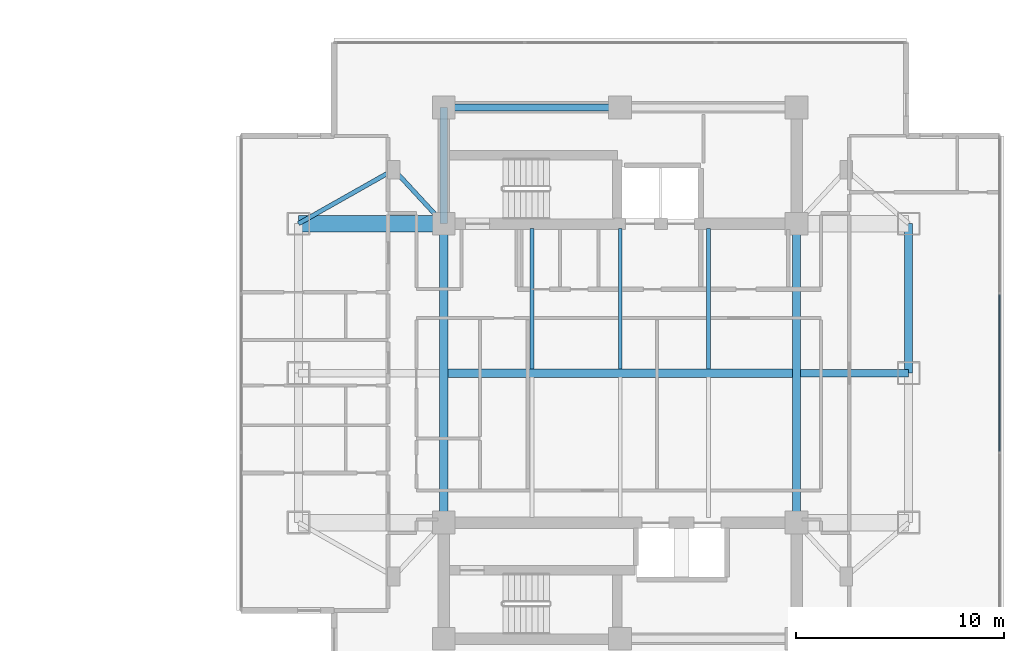
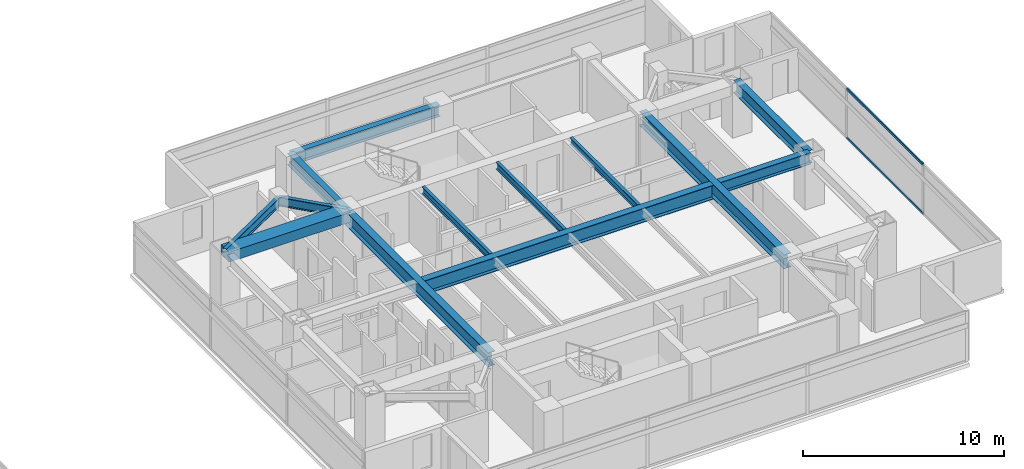
# One storey, part 9 of 24: 13 beams, 2 members, 1 element without a shape of its own.
"""IFC4 building model written with IfcOpenShell, lengths in metres."""

from ifc_helpers import new_model, si_unit, direction, frame, origin, origin_2d, place, context, subcontext, project, spatial, rectangle, i_section, extrude, material, material_profile, profile_set, type_object, element, aggregate, save


model = new_model("IFC4")

# Units and contexts
model_context = context("Model", 3, precision=1e-05, world=origin(), true_north=direction((0.0, 1.0)))
body_context = subcontext(model_context, "Body", "Model", "MODEL_VIEW")
ifc_project = project(units=[si_unit("LENGTHUNIT", "METRE"), si_unit("AREAUNIT", "SQUARE_METRE"), si_unit("VOLUMEUNIT", "CUBIC_METRE"), si_unit("PLANEANGLEUNIT", "RADIAN"), si_unit("MASSUNIT", "GRAM", prefix="KILO")], contexts=[model_context])

# Site, building, storey
site_placement = place(None, origin())
site = spatial("IfcSite", under=ifc_project, at=site_placement, CompositionType="ELEMENT")
building_placement = place(site_placement, origin())
building = spatial("IfcBuilding", under=site, at=building_placement, Name="Mirazonda Arch Towers", CompositionType="ELEMENT")
storey_placement = place(building_placement, frame((0.0, 0.0, 137.89990234375)))
storey = spatial("IfcBuildingStorey", under=building, at=storey_placement, Name="L39", CompositionType="ELEMENT", Elevation=137.89990234375)

# Beams
ifc_material_1 = material(Name="Steel ASTM A992 Grade 50", Category="steel")
ifc_material_profile_1 = material_profile(ifc_material_1, i_section(OverallWidth=0.381103515625, OverallDepth=0.77294921875, WebThickness=0.0166015625, FlangeThickness=0.027099609375, at=origin_2d()), Name="W30X173")
ifc_profile_set_1 = profile_set([ifc_material_profile_1], Name="Steel ASTM A992 Grade 50")
beam_type_1 = type_object("IfcBeamType", Name="BM-EXT-W30X173", PredefinedType="USERDEFINED", material=ifc_profile_set_1)
beam_1_placement = place(storey_placement, frame((90.39990234375, 28.0, 2.693603515625), z_axis=(0.0, 1.0, 0.0), x_axis=(-1.0, 0.0, 0.0)))
element("IfcBeam", 1, at=beam_1_placement, inside=storey, type_object=beam_type_1, Name="L39 Floor Beam BM-T2-L39-NS-E-28", ObjectType="GIRDER", PredefinedType="USERDEFINED", context=body_context, shape_type="SweptSolid", body=[
    extrude(i_section(OverallWidth=0.381103515625, OverallDepth=0.77294921875, WebThickness=0.0166015625, FlangeThickness=0.027099609375, at=origin_2d()), origin(), (0.0, 0.0, 1.0), 7.199951171875),
])
ifc_material_profile_2 = material_profile(ifc_material_1, i_section(OverallWidth=0.180908203125, OverallDepth=0.4169921875, WebThickness=0.010986328125, FlangeThickness=0.018310546875, at=origin_2d()), Name="W16X57")
ifc_profile_set_2 = profile_set([ifc_material_profile_2], Name="Steel ASTM A992 Grade 50")
beam_type_2 = type_object("IfcBeamType", Name="BM-INT-W16X57", PredefinedType="JOIST", material=ifc_profile_set_2)
for number, where, z_axis, x_axis, name in (
    (2, (72.25, 28.196044921875, 2.87158203125), (0.0, 1.0, 0.0), (-1.0, 0.0, 0.0), "L39 Floor Beam BM-T2-L39-J-722-28"),
    (3, (76.5, 28.196044921875, 2.87158203125), (0.0, 1.0, 0.0), (-1.0, 0.0, 0.0), "L39 Floor Beam BM-T2-L39-J-765-28"),
    (4, (80.75, 28.196044921875, 2.87158203125), (0.0, 1.0, 0.0), (-1.0, 0.0, 0.0), "L39 Floor Beam BM-T2-L39-J-807-28"),
):
    element("IfcBeam", number, at=place(storey_placement, frame(where, z_axis=z_axis, x_axis=x_axis)), inside=storey, type_object=beam_type_2, Name=name, PredefinedType="JOIST", context=body_context, shape_type="SweptSolid", body=[
        extrude(i_section(OverallWidth=0.180908203125, OverallDepth=0.4169921875, WebThickness=0.010986328125, FlangeThickness=0.018310546875, at=origin_2d()), origin(), (0.0, 0.0, 1.0), 6.763916015625),
    ])
ifc_material_profile_3 = material_profile(ifc_material_1, i_section(OverallWidth=0.214111328125, OverallDepth=0.549072265625, WebThickness=0.0146484375, FlangeThickness=0.023681640625, at=origin_2d()), Name="W21X93")
ifc_profile_set_3 = profile_set([ifc_material_profile_3], Name="Steel ASTM A992 Grade 50")
beam_type_3 = type_object("IfcBeamType", Name="BM-INT-W21X93", PredefinedType="BEAM", material=ifc_profile_set_3)
beam_2_placement = place(storey_placement, frame((65.60009765625, 37.800048828125, 2.8056640625), z_axis=(0.678251444854, -0.734829897019, 0.0), x_axis=(0.734829897019, 0.678251444854, 0.0)))
element("IfcBeam", 5, at=beam_2_placement, inside=storey, type_object=beam_type_3, Name="L39 Floor Beam BM-T2-L39-PL-NW1", PredefinedType="BEAM", context=body_context, shape_type="SweptSolid", body=[
    extrude(i_section(OverallWidth=0.214111328125, OverallDepth=0.549072265625, WebThickness=0.0146484375, FlangeThickness=0.023681640625, at=origin_2d()), origin(), (0.0, 0.0, 1.0), 3.538330078125),
])
beam_3_placement = place(storey_placement, frame((65.60009765625, 37.800048828125, 2.8056640625), z_axis=(-0.870559396632, -0.492063346467, 0.0), x_axis=(0.492063346467, -0.870559396632, 0.0)))
element("IfcBeam", 6, at=beam_3_placement, inside=storey, type_object=beam_type_3, Name="L39 Floor Beam BM-T2-L39-PL-NW2", PredefinedType="BEAM", context=body_context, shape_type="SweptSolid", body=[
    extrude(i_section(OverallWidth=0.214111328125, OverallDepth=0.549072265625, WebThickness=0.0146484375, FlangeThickness=0.023681640625, at=origin_2d()), origin(), (0.0, 0.0, 1.0), 5.2841796875),
])
ifc_material_profile_4 = material_profile(ifc_material_1, i_section(OverallWidth=0.35498046875, OverallDepth=0.696044921875, WebThickness=0.015380859375, FlangeThickness=0.02490234375, at=origin_2d()), Name="W27X146")
ifc_profile_set_4 = profile_set([ifc_material_profile_4], Name="Steel ASTM A992 Grade 50")
beam_type_4 = type_object("IfcBeamType", Name="BM-INT-W27X146", PredefinedType="BEAM", material=ifc_profile_set_4)
beam_4_placement = place(storey_placement, frame((68.0, 40.800048828125, 2.732177734375), z_axis=(1.0, 0.0, 0.0), x_axis=(0.0, 1.0, 0.0)))
element("IfcBeam", 7, at=beam_4_placement, inside=storey, type_object=beam_type_4, Name="L39 Floor Beam BM-T2-L39-CN1", PredefinedType="BEAM", context=body_context, shape_type="SweptSolid", body=[
    extrude(i_section(OverallWidth=0.35498046875, OverallDepth=0.696044921875, WebThickness=0.015380859375, FlangeThickness=0.02490234375, at=origin_2d()), origin(), (0.0, 0.0, 1.0), 8.5),
])
beam_5_placement = place(storey_placement, frame((68.0, 35.199951171875, 2.732177734375), z_axis=(0.0, 1.0, 0.0), x_axis=(-1.0, 0.0, 0.0)))
element("IfcBeam", 8, at=beam_5_placement, inside=storey, type_object=beam_type_4, Name="L39 Floor Beam BM-T2-L39-CNW", PredefinedType="BEAM", context=body_context, shape_type="SweptSolid", body=[
    extrude(i_section(OverallWidth=0.35498046875, OverallDepth=0.696044921875, WebThickness=0.015380859375, FlangeThickness=0.02490234375, at=origin_2d()), origin(), (0.0, 0.0, 1.0), 5.60009765625),
])
beam_6_placement = place(storey_placement, frame((85.199951171875, 28.0, 2.732177734375), z_axis=(1.0, 0.0, 0.0), x_axis=(0.0, 1.0, 0.0)))
element("IfcBeam", 9, at=beam_6_placement, inside=storey, type_object=beam_type_4, Name="L39 Floor Beam BM-T2-L39-GE2", PredefinedType="BEAM", context=body_context, shape_type="SweptSolid", body=[
    extrude(i_section(OverallWidth=0.35498046875, OverallDepth=0.696044921875, WebThickness=0.015380859375, FlangeThickness=0.02490234375, at=origin_2d()), origin(), (0.0, 0.0, 1.0), 5.199951171875),
])
ifc_material_profile_5 = material_profile(ifc_material_1, i_section(OverallWidth=0.39990234375, OverallDepth=0.85595703125, WebThickness=0.018310546875, FlangeThickness=0.029296875, at=origin_2d()), Name="W33X201")
ifc_profile_set_5 = profile_set([ifc_material_profile_5], Name="Steel ASTM A992 Grade 50")
beam_type_5 = type_object("IfcBeamType", Name="BM-INT-W33X201", PredefinedType="USERDEFINED", material=ifc_profile_set_5)
beam_7_placement = place(storey_placement, frame((68.199951171875, 28.0, 2.652099609375), z_axis=(1.0, 0.0, 0.0), x_axis=(0.0, 1.0, 0.0)))
element("IfcBeam", 10, at=beam_7_placement, inside=storey, type_object=beam_type_5, Name="L39 Floor Beam BM-T2-L39-GC2", ObjectType="GIRDER", PredefinedType="USERDEFINED", context=body_context, shape_type="SweptSolid", body=[
    extrude(i_section(OverallWidth=0.39990234375, OverallDepth=0.85595703125, WebThickness=0.018310546875, FlangeThickness=0.029296875, at=origin_2d()), origin(), (0.0, 0.0, 1.0), 16.60009765625),
])
for number, where, z_axis, x_axis, name in (
    (11, (68.0, 20.800048828125, 2.652099609375), (0.0, 1.0, 0.0), (-1.0, 0.0, 0.0), "L39 Floor Beam BM-T2-L39-NS-CW-FULL"),
    (12, (85.0, 20.800048828125, 2.652099609375), (0.0, 1.0, 0.0), (-1.0, 0.0, 0.0), "L39 Floor Beam BM-T2-L39-NS-CE-FULL"),
):
    element("IfcBeam", number, at=place(storey_placement, frame(where, z_axis=z_axis, x_axis=x_axis)), inside=storey, type_object=beam_type_5, Name=name, ObjectType="GIRDER", PredefinedType="USERDEFINED", context=body_context, shape_type="SweptSolid", body=[
        extrude(i_section(OverallWidth=0.39990234375, OverallDepth=0.85595703125, WebThickness=0.018310546875, FlangeThickness=0.029296875, at=origin_2d()), origin(), (0.0, 0.0, 1.0), 14.39990234375),
    ])
ifc_material_2 = material(Name="Concrete C60/75", Category="concrete")
ifc_material_profile_6 = material_profile(ifc_material_2, rectangle(XDim=0.800048828125, YDim=0.60009765625, at=origin_2d()), Name="RCCB800x600")
ifc_profile_set_6 = profile_set([ifc_material_profile_6], Name="Concrete C60/75")
beam_type_6 = type_object("IfcBeamType", Name="CB-INT-RCCB800x600", PredefinedType="SPANDREL", material=ifc_profile_set_6)
beam_8_placement = place(storey_placement, frame((61.0, 35.199951171875, 2.780029296875), z_axis=(1.0, 0.0, 0.0), x_axis=(0.0, 1.0, 0.0)))
element("IfcBeam", 13, at=beam_8_placement, inside=storey, type_object=beam_type_6, Name="L39 Floor Beam CBC-T2-L39-NW", PredefinedType="SPANDREL", context=body_context, shape_type="SweptSolid", body=[
    extrude(rectangle(XDim=0.800048828125, YDim=0.60009765625, at=origin_2d()), origin(), (0.0, 0.0, 1.0), 7.0),
])

# Curtain wall, members
ifc_material_3 = material(Name="Anodised Aluminium and Low-E Glass", Category="aluminium")
curtain_wall_type = type_object("IfcCurtainWallType", Name="CW-HTL-UNIT", PredefinedType="NOTDEFINED", material=ifc_material_3)
curtain_wall_placement = place(storey_placement, origin())
curtain_wall = element("IfcCurtainWall", 14, at=curtain_wall_placement, inside=storey, type_object=curtain_wall_type, Name="L39 T2 E Facade CW-L39-T2-E", PredefinedType="NOTDEFINED")
ifc_material_4 = material(Name="Anodised Aluminium Alloy", Category="aluminium")
ifc_material_profile_7 = material_profile(ifc_material_4, rectangle(XDim=0.074951171875, YDim=0.14501953125, at=origin_2d()), Name="ALU-TRAN-75x145")
ifc_profile_set_7 = profile_set([ifc_material_profile_7], Name="Anodised Aluminium Alloy")
member_type = type_object("IfcMemberType", Name="TRAN-CW-HTL-UNIT", PredefinedType="USERDEFINED", material=ifc_profile_set_7)
member_1_placement = place(storey_placement, frame((94.77294921875, 24.226806640625, 0.03759765625), z_axis=(0.0, 1.0, 0.0), x_axis=(-1.0, 0.0, 0.0)))
member_1 = element("IfcMember", 15, at=member_1_placement, type_object=member_type, Name="CW-112 transom 2.1", ObjectType="TRANSOM", PredefinedType="USERDEFINED", context=body_context, shape_type="SweptSolid", body=[
    extrude(rectangle(XDim=0.074951171875, YDim=0.14501953125, at=origin_2d()), origin(), (0.0, 0.0, 1.0), 7.54638671875),
])
member_2_placement = place(storey_placement, frame((94.77294921875, 24.226806640625, 3.022705078125), z_axis=(0.0, 1.0, 0.0), x_axis=(-1.0, 0.0, 0.0)))
member_2 = element("IfcMember", 16, at=member_2_placement, type_object=member_type, Name="CW-112 transom 2.2", ObjectType="TRANSOM", PredefinedType="USERDEFINED", context=body_context, shape_type="SweptSolid", body=[
    extrude(rectangle(XDim=0.074951171875, YDim=0.14501953125, at=origin_2d()), origin(), (0.0, 0.0, 1.0), 7.54638671875),
])
aggregate(curtain_wall, [member_1, member_2])

save(model, "model.ifc")
